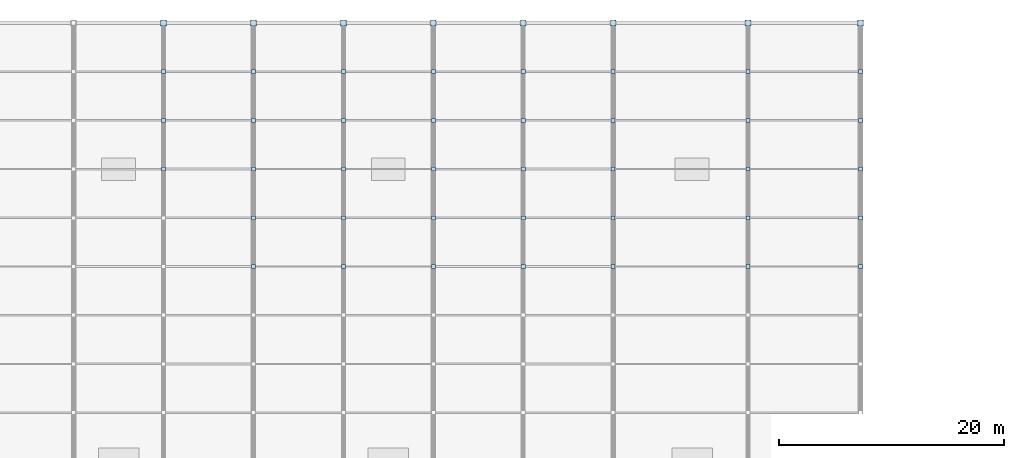
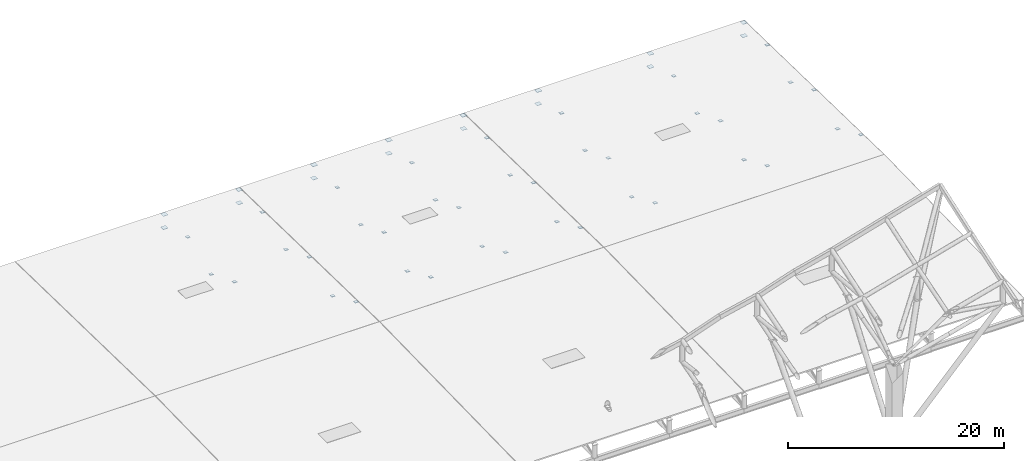
# One storey, part 66 of 75: 54 plates.
"""IFC4 building model written with IfcOpenShell, lengths in metres."""

from ifc_helpers import new_model, si_unit, direction, frame, origin, origin_2d, place, context, subcontext, project, spatial, rectangle, extrude, material, layer, layer_set, type_object, element, save


model = new_model("IFC4")

# Units and contexts
model_context = context("Model", 3, precision=1e-05, world=origin(), true_north=direction((0.0, 1.0)))
body_context = subcontext(model_context, "Body", "Model", "MODEL_VIEW")
ifc_project = project(units=[si_unit("LENGTHUNIT", "METRE"), si_unit("AREAUNIT", "SQUARE_METRE"), si_unit("VOLUMEUNIT", "CUBIC_METRE"), si_unit("PLANEANGLEUNIT", "RADIAN"), si_unit("MASSUNIT", "GRAM", prefix="KILO")], contexts=[model_context])

# Site, building, storey
site_placement = place(None, origin())
site = spatial("IfcSite", under=ifc_project, at=site_placement, CompositionType="ELEMENT")
building_placement = place(site_placement, origin())
building = spatial("IfcBuilding", under=site, at=building_placement, Name="Khorjan Park Terminus", CompositionType="ELEMENT")
storey_placement = place(building_placement, frame((0.0, 0.0, 16.2)))
storey = spatial("IfcBuildingStorey", under=building, at=storey_placement, Name="L03", CompositionType="ELEMENT", Elevation=16.2)

# Plates
ifc_material = material(Name="Steel S355", Category="steel")
ifc_layer_1 = layer(ifc_material, 0.022)
ifc_layer_set_1 = layer_set([ifc_layer_1], Name="Steel S355")
plate_type_1 = type_object("IfcPlateType", Name="PT-GUS-22", PredefinedType="SHEET", material=ifc_layer_set_1)
for number, where, z_axis, x_axis, name in (
    (1, (96.0, 141.0, -0.836), (0.0, 0.0, 1.0), (1.0, 0.0, 0.0), "Steel truss node cap plate NP-22 (RC2-GUS-END-0130)"),
    (2, (96.0, 145.3333, -2.611), (0.0, 0.0, 1.0), (1.0, 0.0, 0.0), "Steel truss node cap plate NP-22 (RC2-GUS-END-0131)"),
    (3, (96.0, 149.6667, -1.0193), (0.0, 0.0, 1.0), (1.0, 0.0, 0.0), "Steel truss node cap plate NP-22 (RC2-GUS-END-0132)"),
    (4, (104.0, 132.3333, -0.6527), (0.0, 0.0, 1.0), (1.0, 0.0, 0.0), "Steel truss node cap plate NP-22 (RC2-GUS-END-0139)"),
    (5, (104.0, 136.6667, -2.611), (0.0, 0.0, 1.0), (1.0, 0.0, 0.0), "Steel truss node cap plate NP-22 (RC2-GUS-END-0140)"),
    (6, (104.0, 141.0, -0.836), (0.0, 0.0, 1.0), (1.0, 0.0, 0.0), "Steel truss node cap plate NP-22 (RC2-GUS-END-0141)"),
    (7, (104.0, 145.3333, -2.611), (0.0, 0.0, 1.0), (1.0, 0.0, 0.0), "Steel truss node cap plate NP-22 (RC2-GUS-END-0142)"),
    (8, (104.0, 149.6667, -1.0193), (0.0, 0.0, 1.0), (1.0, 0.0, 0.0), "Steel truss node cap plate NP-22 (RC2-GUS-END-0143)"),
    (9, (112.0, 132.3333, -0.6527), (0.0, 0.0, 1.0), (1.0, 0.0, 0.0), "Steel truss node cap plate NP-22 (RC2-GUS-END-0150)"),
    (10, (112.0, 136.6667, -2.611), (0.0, 0.0, 1.0), (1.0, 0.0, 0.0), "Steel truss node cap plate NP-22 (RC2-GUS-END-0151)"),
    (11, (112.0, 141.0, -0.836), (0.0, 0.0, 1.0), (1.0, 0.0, 0.0), "Steel truss node cap plate NP-22 (RC2-GUS-END-0152)"),
    (12, (112.0, 145.3333, -2.611), (0.0, 0.0, 1.0), (1.0, 0.0, 0.0), "Steel truss node cap plate NP-22 (RC2-GUS-END-0153)"),
    (13, (112.0, 149.6667, -1.0193), (0.0, 0.0, 1.0), (1.0, 0.0, 0.0), "Steel truss node cap plate NP-22 (RC2-GUS-END-0154)"),
    (14, (120.0, 132.3333, -0.6527), (0.0, 0.0, 1.0), (1.0, 0.0, 0.0), "Steel truss node cap plate NP-22 (RC2-GUS-END-0161)"),
    (15, (120.0, 136.6667, -2.611), (0.0, 0.0, 1.0), (1.0, 0.0, 0.0), "Steel truss node cap plate NP-22 (RC2-GUS-END-0162)"),
    (16, (120.0, 141.0, -0.836), (0.0, 0.0, 1.0), (1.0, 0.0, 0.0), "Steel truss node cap plate NP-22 (RC2-GUS-END-0163)"),
    (17, (120.0, 145.3333, -2.611), (0.0, 0.0, 1.0), (1.0, 0.0, 0.0), "Steel truss node cap plate NP-22 (RC2-GUS-END-0164)"),
    (18, (120.0, 149.6667, -1.0193), (0.0, 0.0, 1.0), (1.0, 0.0, 0.0), "Steel truss node cap plate NP-22 (RC2-GUS-END-0165)"),
    (19, (128.0, 132.3333, -0.6527), (0.0, 0.0, 1.0), (1.0, 0.0, 0.0), "Steel truss node cap plate NP-22 (RC2-GUS-END-0172)"),
    (20, (128.0, 136.6667, -2.611), (0.0, 0.0, 1.0), (1.0, 0.0, 0.0), "Steel truss node cap plate NP-22 (RC2-GUS-END-0173)"),
    (21, (128.0, 141.0, -0.836), (0.0, 0.0, 1.0), (1.0, 0.0, 0.0), "Steel truss node cap plate NP-22 (RC2-GUS-END-0174)"),
    (22, (128.0, 145.3333, -2.611), (0.0, 0.0, 1.0), (1.0, 0.0, 0.0), "Steel truss node cap plate NP-22 (RC2-GUS-END-0175)"),
    (23, (128.0, 149.6667, -1.0193), (0.0, 0.0, 1.0), (1.0, 0.0, 0.0), "Steel truss node cap plate NP-22 (RC2-GUS-END-0176)"),
    (24, (136.0, 132.3333, -0.6527), (0.0, 0.0, 1.0), (1.0, 0.0, 0.0), "Steel truss node cap plate NP-22 (RC2-GUS-END-0183)"),
    (25, (136.0, 136.6667, -2.611), (0.0, 0.0, 1.0), (1.0, 0.0, 0.0), "Steel truss node cap plate NP-22 (RC2-GUS-END-0184)"),
    (26, (136.0, 141.0, -0.836), (0.0, 0.0, 1.0), (1.0, 0.0, 0.0), "Steel truss node cap plate NP-22 (RC2-GUS-END-0185)"),
    (27, (136.0, 145.3333, -2.611), (0.0, 0.0, 1.0), (1.0, 0.0, 0.0), "Steel truss node cap plate NP-22 (RC2-GUS-END-0186)"),
    (28, (136.0, 149.6667, -1.0193), (0.0, 0.0, 1.0), (1.0, 0.0, 0.0), "Steel truss node cap plate NP-22 (RC2-GUS-END-0187)"),
    (29, (148.0, 132.3333, -0.6527), (0.0, 0.0, 1.0), (1.0, 0.0, 0.0), "Steel truss node cap plate NP-22 (RC2-GUS-END-0194)"),
    (30, (148.0, 136.6667, -2.611), (0.0, 0.0, 1.0), (1.0, 0.0, 0.0), "Steel truss node cap plate NP-22 (RC2-GUS-END-0195)"),
    (31, (148.0, 141.0, -0.836), (0.0, 0.0, 1.0), (1.0, 0.0, 0.0), "Steel truss node cap plate NP-22 (RC2-GUS-END-0196)"),
    (32, (148.0, 145.3333, -2.611), (0.0, 0.0, 1.0), (1.0, 0.0, 0.0), "Steel truss node cap plate NP-22 (RC2-GUS-END-0197)"),
    (33, (148.0, 149.6667, -1.0193), (0.0, 0.0, 1.0), (1.0, 0.0, 0.0), "Steel truss node cap plate NP-22 (RC2-GUS-END-0198)"),
    (34, (158.0, 132.3333, -0.6527), (0.0, 0.0, 1.0), (1.0, 0.0, 0.0), "Steel truss node cap plate NP-22 (RC2-GUS-END-0205)"),
    (35, (158.0, 136.6667, -2.611), (0.0, 0.0, 1.0), (1.0, 0.0, 0.0), "Steel truss node cap plate NP-22 (RC2-GUS-END-0206)"),
    (36, (158.0, 141.0, -0.836), (0.0, 0.0, 1.0), (1.0, 0.0, 0.0), "Steel truss node cap plate NP-22 (RC2-GUS-END-0207)"),
    (37, (158.0, 145.3333, -2.611), (0.0, 0.0, 1.0), (1.0, 0.0, 0.0), "Steel truss node cap plate NP-22 (RC2-GUS-END-0208)"),
    (38, (158.0, 149.6667, -1.0193), (0.0, 0.0, 1.0), (1.0, 0.0, 0.0), "Steel truss node cap plate NP-22 (RC2-GUS-END-0209)"),
):
    element("IfcPlate", number, at=place(storey_placement, frame(where, z_axis=z_axis, x_axis=x_axis)), inside=storey, type_object=plate_type_1, Name=name, PredefinedType="SHEET", context=body_context, shape_type="SweptSolid", body=[
        extrude(rectangle(XDim=0.36, YDim=0.36, at=origin_2d()), origin(), (0.0, 0.0, 1.0), 0.022),
    ])
ifc_layer_2 = layer(ifc_material, 0.025)
ifc_layer_set_2 = layer_set([ifc_layer_2], Name="Steel S355")
plate_type_2 = type_object("IfcPlateType", Name="PT-GUSE-25", PredefinedType="SHEET", material=ifc_layer_set_2)
for number, where, z_axis, x_axis, name in (
    (39, (96.0, 154.0, -2.6125), (0.0, 0.0, 1.0), (1.0, 0.0, 0.0), "Steel truss node cap plate NPE-25 (RC2-NP-V1-T12-NB)"),
    (40, (104.0, 154.0, -2.6125), (0.0, 0.0, 1.0), (1.0, 0.0, 0.0), "Steel truss node cap plate NPE-25 (RC2-NP-V1-T13-NB)"),
    (41, (112.0, 154.0, -2.6125), (0.0, 0.0, 1.0), (1.0, 0.0, 0.0), "Steel truss node cap plate NPE-25 (RC2-NP-V1-T14-NB)"),
    (42, (120.0, 154.0, -2.6125), (0.0, 0.0, 1.0), (1.0, 0.0, 0.0), "Steel truss node cap plate NPE-25 (RC2-NP-V1-T15-NB)"),
    (43, (128.0, 154.0, -2.6125), (0.0, 0.0, 1.0), (1.0, 0.0, 0.0), "Steel truss node cap plate NPE-25 (RC2-NP-V1-T16-NB)"),
    (44, (136.0, 154.0, -2.6125), (0.0, 0.0, 1.0), (1.0, 0.0, 0.0), "Steel truss node cap plate NPE-25 (RC2-NP-V1-T17-NB)"),
    (45, (148.0, 154.0, -2.6125), (0.0, 0.0, 1.0), (1.0, 0.0, 0.0), "Steel truss node cap plate NPE-25 (RC2-NP-V1-T18-NB)"),
    (46, (158.0, 154.0, -2.6125), (0.0, 0.0, 1.0), (1.0, 0.0, 0.0), "Steel truss node cap plate NPE-25 (RC2-NP-V1-T19-NB)"),
):
    element("IfcPlate", number, at=place(storey_placement, frame(where, z_axis=z_axis, x_axis=x_axis)), inside=storey, type_object=plate_type_2, Name=name, PredefinedType="SHEET", context=body_context, shape_type="SweptSolid", body=[
        extrude(rectangle(XDim=0.52, YDim=0.52, at=origin_2d()), origin(), (0.0, 0.0, 1.0), 0.025),
    ])
ifc_layer_3 = layer(ifc_material, 0.03)
ifc_layer_set_3 = layer_set([ifc_layer_3], Name="Steel S355")
plate_type_3 = type_object("IfcPlateType", Name="PT-GUSE-30", PredefinedType="SHEET", material=ifc_layer_set_3)
for number, where, z_axis, x_axis, name in (
    (47, (96.0, 154.0, -1.115), (0.0, 0.0, 1.0), (1.0, 0.0, 0.0), "Steel truss node cap plate NPE-30 (RC2-NP-V1-T12-NT)"),
    (48, (104.0, 154.0, -1.115), (0.0, 0.0, 1.0), (1.0, 0.0, 0.0), "Steel truss node cap plate NPE-30 (RC2-NP-V1-T13-NT)"),
    (49, (112.0, 154.0, -1.115), (0.0, 0.0, 1.0), (1.0, 0.0, 0.0), "Steel truss node cap plate NPE-30 (RC2-NP-V1-T14-NT)"),
    (50, (120.0, 154.0, -1.115), (0.0, 0.0, 1.0), (1.0, 0.0, 0.0), "Steel truss node cap plate NPE-30 (RC2-NP-V1-T15-NT)"),
    (51, (128.0, 154.0, -1.115), (0.0, 0.0, 1.0), (1.0, 0.0, 0.0), "Steel truss node cap plate NPE-30 (RC2-NP-V1-T16-NT)"),
    (52, (136.0, 154.0, -1.115), (0.0, 0.0, 1.0), (1.0, 0.0, 0.0), "Steel truss node cap plate NPE-30 (RC2-NP-V1-T17-NT)"),
    (53, (148.0, 154.0, -1.115), (0.0, 0.0, 1.0), (1.0, 0.0, 0.0), "Steel truss node cap plate NPE-30 (RC2-NP-V1-T18-NT)"),
    (54, (158.0, 154.0, -1.115), (0.0, 0.0, 1.0), (1.0, 0.0, 0.0), "Steel truss node cap plate NPE-30 (RC2-NP-V1-T19-NT)"),
):
    element("IfcPlate", number, at=place(storey_placement, frame(where, z_axis=z_axis, x_axis=x_axis)), inside=storey, type_object=plate_type_3, Name=name, PredefinedType="SHEET", context=body_context, shape_type="SweptSolid", body=[
        extrude(rectangle(XDim=0.52, YDim=0.52, at=origin_2d()), origin(), (0.0, 0.0, 1.0), 0.03),
    ])

save(model, "model.ifc")
